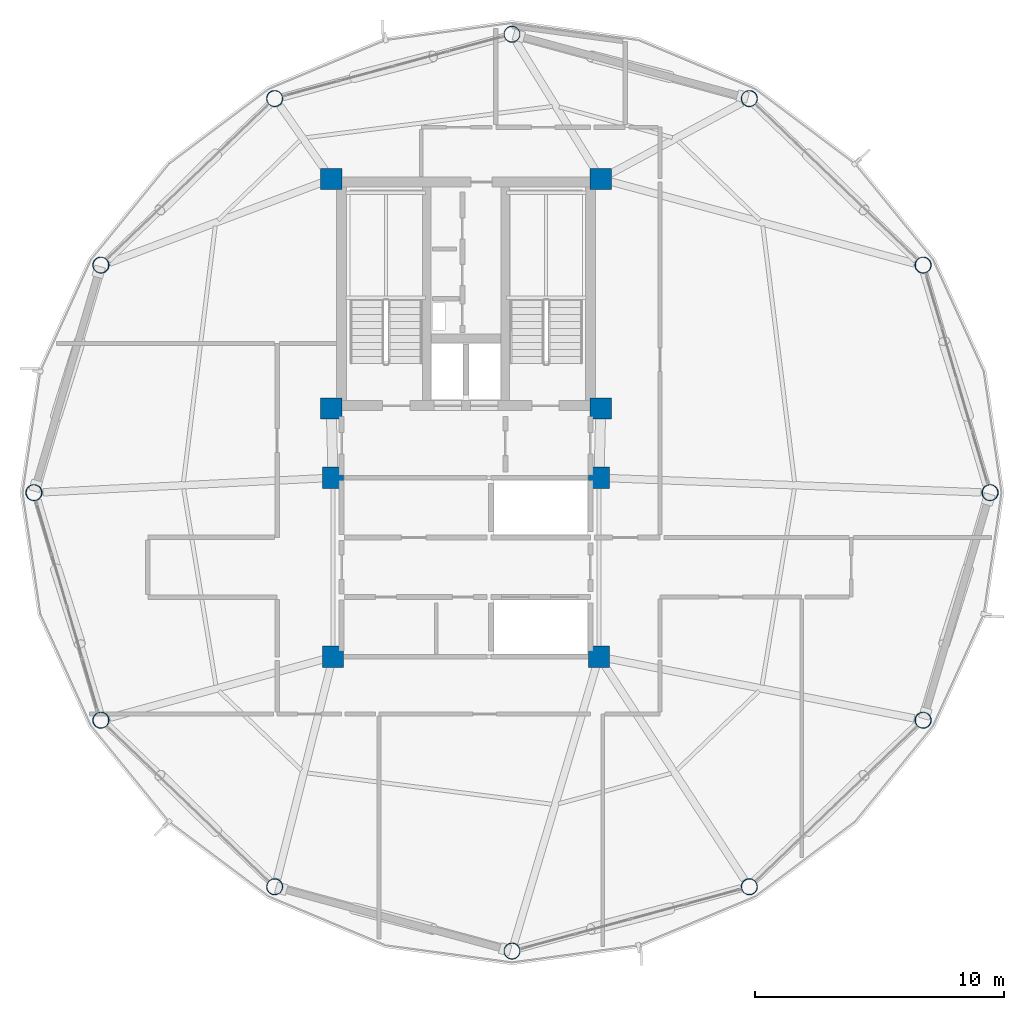
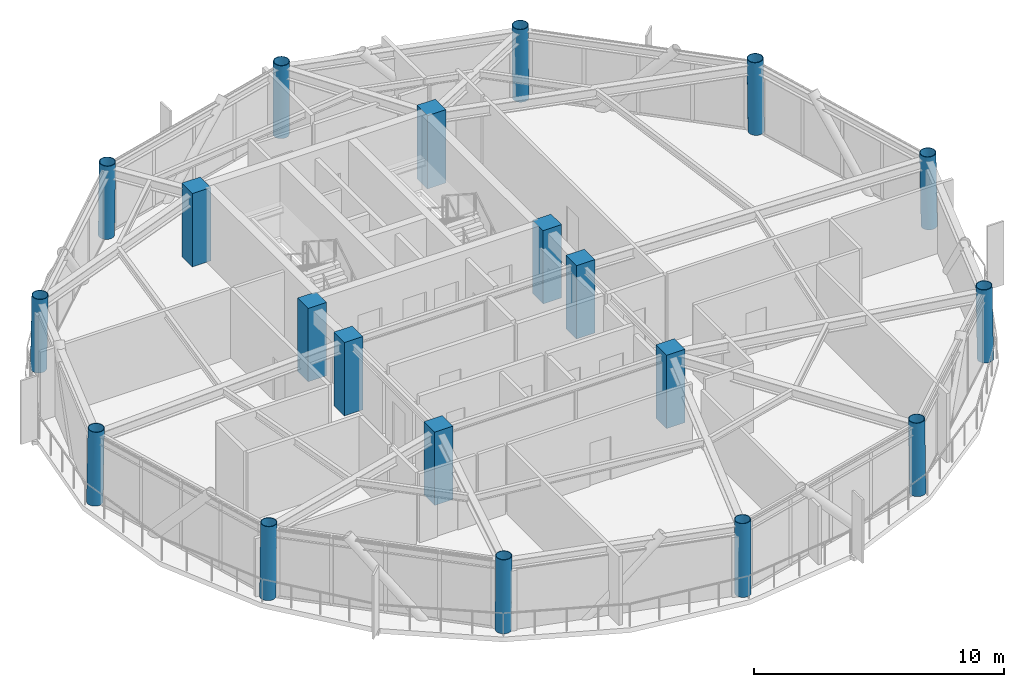
# One storey, part 1 of 28: 20 columns.
"""IFC4 building model written with IfcOpenShell, lengths in metres."""

from ifc_helpers import new_model, si_unit, direction, frame, origin, origin_2d, place, context, subcontext, project, spatial, rectangle, hollow_circle, extrude, material, material_profile, profile_set, type_object, element, save


model = new_model("IFC4")

# Units and contexts
model_context = context("Model", 3, precision=1e-05, world=origin(), true_north=direction((0.0, 1.0)))
body_context = subcontext(model_context, "Body", "Model", "MODEL_VIEW")
ifc_project = project(units=[si_unit("LENGTHUNIT", "METRE"), si_unit("AREAUNIT", "SQUARE_METRE"), si_unit("VOLUMEUNIT", "CUBIC_METRE"), si_unit("PLANEANGLEUNIT", "RADIAN"), si_unit("MASSUNIT", "GRAM", prefix="KILO")], contexts=[model_context])

# Site, building, storey
site_placement = place(None, origin())
site = spatial("IfcSite", under=ifc_project, at=site_placement, CompositionType="ELEMENT")
building_placement = place(site_placement, origin())
building = spatial("IfcBuilding", under=site, at=building_placement, Name="Varnakorn Sky Granary", CompositionType="ELEMENT")
storey_placement = place(building_placement, frame((0.0, 0.0, 207.60009765625)))
storey = spatial("IfcBuildingStorey", under=building, at=storey_placement, Name="L52", CompositionType="ELEMENT", Elevation=207.60009765625)

# Columns
ifc_material_1 = material(Name="Steel S460M", Category="steel")
ifc_material_profile_1 = material_profile(ifc_material_1, hollow_circle(Radius=0.330078125, WallThickness=0.02490234375, at=origin_2d()), Name="CHS 660x25")
ifc_profile_set_1 = profile_set([ifc_material_profile_1], Name="Steel S460M")
column_type_1 = type_object("IfcColumnType", Name="COL-DC-Z4", PredefinedType="COLUMN", material=ifc_profile_set_1)
column_1_placement = place(storey_placement, frame((24.090087890625, 0.0, 0.0), z_axis=(-0.018776993553, 0.0, 0.999823696715), x_axis=(0.0, -1.0, 0.0)))
element("IfcColumn", 1, at=column_1_placement, inside=storey, type_object=column_type_1, Name="Drum Perimeter Column DC01 L52", PredefinedType="COLUMN", context=body_context, shape_type="SweptSolid", body=[
    extrude(hollow_circle(Radius=0.330078125, WallThickness=0.02490234375, at=origin_2d()), origin(), (0.0, 0.0, 1.0), 3.57568359375),
])
column_2_placement = place(storey_placement, frame((21.3955078125, 9.155029296875, 0.0), z_axis=(-0.016251167856, -0.004779755252, 0.999856516448), x_axis=(0.282166323992, -0.959365501571, 0.0)))
element("IfcColumn", 2, at=column_2_placement, inside=storey, type_object=column_type_1, Name="Drum Perimeter Column DC02 L52", PredefinedType="COLUMN", context=body_context, shape_type="SweptSolid", body=[
    extrude(hollow_circle(Radius=0.330078125, WallThickness=0.02490234375, at=origin_2d()), origin(), (0.0, 0.0, 1.0), 3.575439453125),
])
for number, where, z_axis, x_axis, name in (
    (3, (14.402587890625, 15.85693359375, 0.0), (-0.009423558108, -0.008262685007, 0.99992145921), (0.659275739368, -0.75190125647, 0.0), "Drum Perimeter Column DC03 L52"),
    (4, (4.85009765625, 18.445068359375, 0.0), (0.0, -0.00956044538, 0.999954297898), (1.0, 0.0, 0.0), "Drum Perimeter Column DC04 L52"),
    (5, (-4.702392578125, 15.85693359375, 0.0), (0.009355277453, -0.008262690305, 0.999922100332), (0.661983450847, 0.749518452612, 0.0), "Drum Perimeter Column DC05 L52"),
):
    element("IfcColumn", number, at=place(storey_placement, frame(where, z_axis=z_axis, x_axis=x_axis)), inside=storey, type_object=column_type_1, Name=name, PredefinedType="COLUMN", context=body_context, shape_type="SweptSolid", body=[
        extrude(hollow_circle(Radius=0.330078125, WallThickness=0.02490234375, at=origin_2d()), origin(), (0.0, 0.0, 1.0), 3.5751953125),
    ])
column_3_placement = place(storey_placement, frame((-11.6953125, 9.155029296875, 0.0), z_axis=(0.016182903558, -0.004779760545, 0.999857623625), x_axis=(0.283261555535, 0.959042695168, 0.0)))
element("IfcColumn", 6, at=column_3_placement, inside=storey, type_object=column_type_1, Name="Drum Perimeter Column DC06 L52", PredefinedType="COLUMN", context=body_context, shape_type="SweptSolid", body=[
    extrude(hollow_circle(Radius=0.330078125, WallThickness=0.02490234375, at=origin_2d()), origin(), (0.0, 0.0, 1.0), 3.575439453125),
])
column_4_placement = place(storey_placement, frame((-14.389892578125, 0.0, 0.0), z_axis=(0.018708737519, 0.0, 0.999824976254), x_axis=(0.0, 1.0, 0.0)))
element("IfcColumn", 7, at=column_4_placement, inside=storey, type_object=column_type_1, Name="Drum Perimeter Column DC07 L52", PredefinedType="COLUMN", context=body_context, shape_type="SweptSolid", body=[
    extrude(hollow_circle(Radius=0.330078125, WallThickness=0.02490234375, at=origin_2d()), origin(), (0.0, 0.0, 1.0), 3.57568359375),
])
column_5_placement = place(storey_placement, frame((-11.6953125, -9.155029296875, 0.0), z_axis=(0.016182903558, 0.004779760545, 0.999857623625), x_axis=(-0.283261555535, 0.959042695168, 0.0)))
element("IfcColumn", 8, at=column_5_placement, inside=storey, type_object=column_type_1, Name="Drum Perimeter Column DC08 L52", PredefinedType="COLUMN", context=body_context, shape_type="SweptSolid", body=[
    extrude(hollow_circle(Radius=0.330078125, WallThickness=0.02490234375, at=origin_2d()), origin(), (0.0, 0.0, 1.0), 3.575439453125),
])
for number, where, z_axis, x_axis, name in (
    (9, (-4.702392578125, -15.85693359375, 0.0), (0.009355277453, 0.008262690305, 0.999922100332), (-0.661983450847, 0.749518452612, 0.0), "Drum Perimeter Column DC09 L52"),
    (10, (4.85009765625, -18.445068359375, 0.0), (0.0, 0.00956044538, 0.999954297898), (-1.0, 0.0, 0.0), "Drum Perimeter Column DC10 L52"),
    (11, (14.402587890625, -15.85693359375, 0.0), (-0.009423558108, 0.008262685007, 0.99992145921), (-0.659275739368, -0.75190125647, 0.0), "Drum Perimeter Column DC11 L52"),
):
    element("IfcColumn", number, at=place(storey_placement, frame(where, z_axis=z_axis, x_axis=x_axis)), inside=storey, type_object=column_type_1, Name=name, PredefinedType="COLUMN", context=body_context, shape_type="SweptSolid", body=[
        extrude(hollow_circle(Radius=0.330078125, WallThickness=0.02490234375, at=origin_2d()), origin(), (0.0, 0.0, 1.0), 3.5751953125),
    ])
column_6_placement = place(storey_placement, frame((21.3955078125, -9.155029296875, 0.0), z_axis=(-0.016251167856, 0.004779755252, 0.999856516448), x_axis=(-0.282166323992, -0.959365501571, 0.0)))
element("IfcColumn", 12, at=column_6_placement, inside=storey, type_object=column_type_1, Name="Drum Perimeter Column DC12 L52", PredefinedType="COLUMN", context=body_context, shape_type="SweptSolid", body=[
    extrude(hollow_circle(Radius=0.330078125, WallThickness=0.02490234375, at=origin_2d()), origin(), (0.0, 0.0, 1.0), 3.575439453125),
])
ifc_material_2 = material(Name="Concrete C50/60", Category="concrete")
ifc_material_profile_2 = material_profile(ifc_material_2, rectangle(XDim=0.85009765625, YDim=0.85009765625, at=origin_2d()), Name="RC 850x850")
ifc_profile_set_2 = profile_set([ifc_material_profile_2], Name="Concrete C50/60")
column_type_2 = type_object("IfcColumnType", Name="COL-MC-Z4", PredefinedType="COLUMN", material=ifc_profile_set_2)
for number, where, z_axis, x_axis, name in (
    (13, (-2.419921875, 12.6201171875, 0.0), (0.0, 0.0, 1.0), (1.0, 0.0, 0.0), "Backbone Mega-Column MC1 L52"),
    (14, (8.419921875, 12.6201171875, 0.0), (0.0, 0.0, 1.0), (1.0, 0.0, 0.0), "Backbone Mega-Column MC2 L52"),
    (15, (-2.419921875, 3.3798828125, 0.0), (0.0, 0.0, 1.0), (1.0, 0.0, 0.0), "Backbone Mega-Column MC3 L52"),
    (16, (8.419921875, 3.3798828125, 0.0), (0.0, 0.0, 1.0), (1.0, 0.0, 0.0), "Backbone Mega-Column MC4 L52"),
    (17, (-2.35009765625, 0.60009765625, 0.0), (0.0, 0.0, 1.0), (1.0, 0.0, 0.0), "Backbone Mega-Column MC5 L52"),
    (18, (8.35009765625, 0.60009765625, 0.0), (0.0, 0.0, 1.0), (1.0, 0.0, 0.0), "Backbone Mega-Column MC6 L52"),
    (19, (-2.35009765625, -6.60009765625, 0.0), (0.0, 0.0, 1.0), (1.0, 0.0, 0.0), "Backbone Mega-Column MC7 L52"),
    (20, (8.35009765625, -6.60009765625, 0.0), (0.0, 0.0, 1.0), (1.0, 0.0, 0.0), "Backbone Mega-Column MC8 L52"),
):
    element("IfcColumn", number, at=place(storey_placement, frame(where, z_axis=z_axis, x_axis=x_axis)), inside=storey, type_object=column_type_2, Name=name, PredefinedType="COLUMN", context=body_context, shape_type="SweptSolid", body=[
        extrude(rectangle(XDim=0.85009765625, YDim=0.85009765625, at=origin_2d()), origin(), (0.0, 0.0, 1.0), 3.574951171875),
    ])

save(model, "model.ifc")
